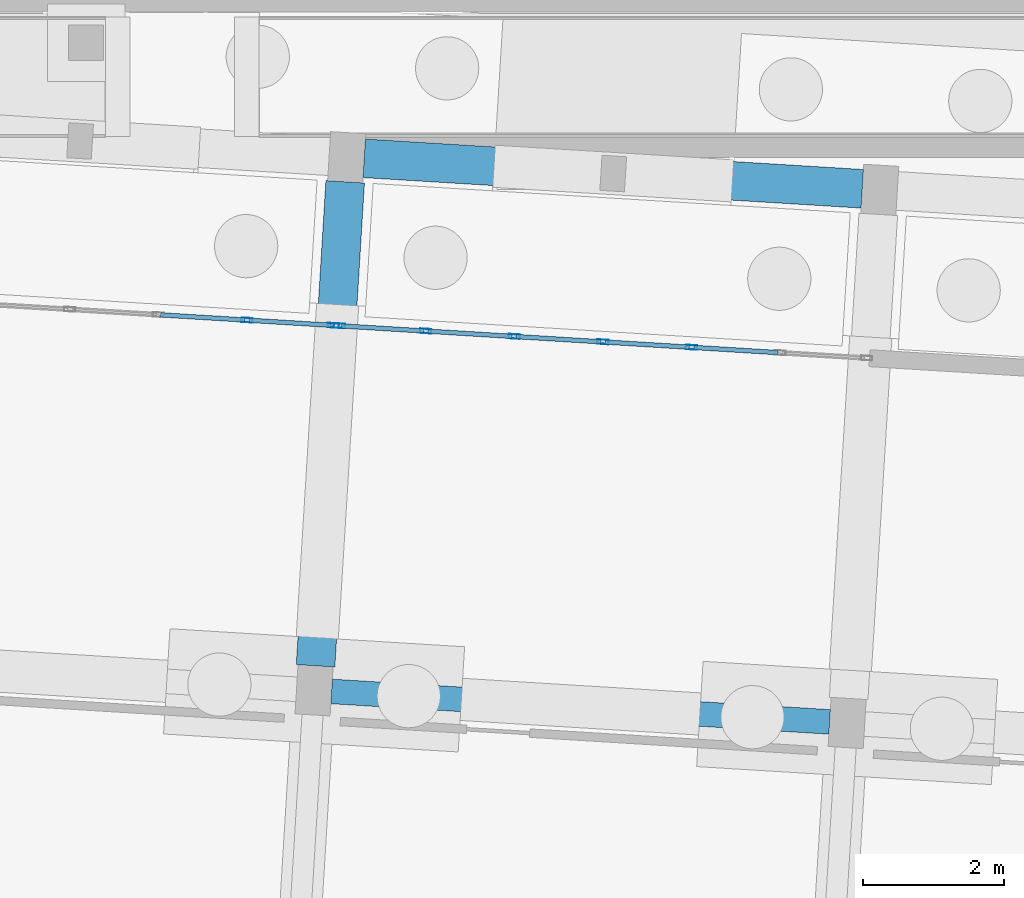
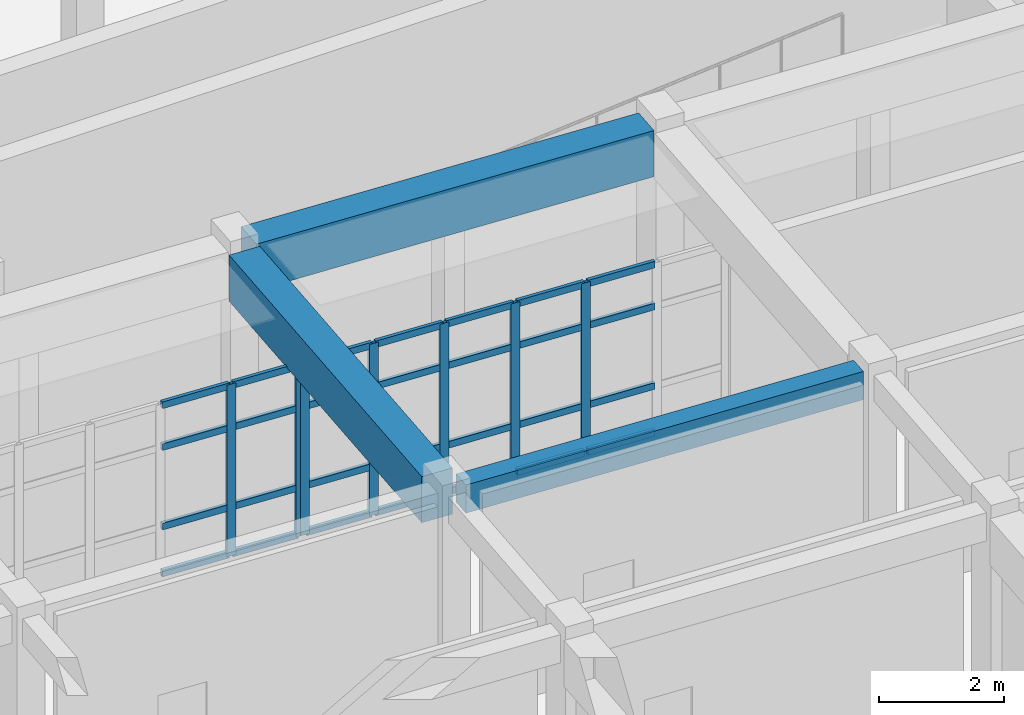
# One storey, part 52 of 154: 35 members, 3 beams, 2 elements without a shape of their own.
"""IFC4 building model written with IfcOpenShell, lengths in metres."""

from ifc_helpers import new_model, si_unit, direction, frame, origin, origin_2d, place, context, subcontext, project, spatial, rectangle, hollow_rectangle, extrude, material, material_profile, profile_set, type_object, element, aggregate, save


model = new_model("IFC4")

# Units and contexts
model_context = context("Model", 3, precision=1e-05, world=origin(), true_north=direction((0.0, 1.0)))
body_context = subcontext(model_context, "Body", "Model", "MODEL_VIEW")
ifc_project = project(units=[si_unit("LENGTHUNIT", "METRE"), si_unit("AREAUNIT", "SQUARE_METRE"), si_unit("VOLUMEUNIT", "CUBIC_METRE"), si_unit("PLANEANGLEUNIT", "RADIAN"), si_unit("MASSUNIT", "GRAM", prefix="KILO")], contexts=[model_context])

# Site, building, storey
site_placement = place(None, origin())
site = spatial("IfcSite", under=ifc_project, at=site_placement, CompositionType="ELEMENT")
building_placement = place(site_placement, origin())
building = spatial("IfcBuilding", under=site, at=building_placement, Name="Kestramere Prow Commons", CompositionType="ELEMENT")
storey_placement = place(building_placement, origin())
storey = spatial("IfcBuildingStorey", under=building, at=storey_placement, Name="L00", CompositionType="ELEMENT", Elevation=0.0)

# Beam
ifc_material_1 = material(Name="Precast concrete C40/50", Category="concrete")
ifc_material_profile_1 = material_profile(ifc_material_1, rectangle(XDim=0.35009765625, YDim=0.550048828125, at=origin_2d()), Name="PC-BM 350x550")
ifc_profile_set_1 = profile_set([ifc_material_profile_1], Name="Precast concrete C40/50")
beam_type_1 = type_object("IfcBeamType", Name="BM-C1 PC-BM 350x550", PredefinedType="BEAM", material=ifc_profile_set_1)
beam_1_placement = place(storey_placement, frame((90.825439453125, 56.6064453125, 3.97509765625), z_axis=(0.998135568114, -0.061035953884, 0.0), x_axis=(0.061035953884, 0.998135568114, 0.0)))
element("IfcBeam", 1, at=beam_1_placement, inside=storey, type_object=beam_type_1, Name="Block C L00 Longitudinal Beam 3-5", PredefinedType="BEAM", context=body_context, shape_type="SweptSolid", body=[
    extrude(rectangle(XDim=0.35009765625, YDim=0.550048828125, at=origin_2d()), origin(), (0.0, 0.0, 1.0), 7.099853515625),
])

# Curtain wall, members
ifc_material_2 = material(Name="Anodised Aluminium and Low-E Glass", Category="aluminium")
curtain_wall_type = type_object("IfcCurtainWallType", Name="CW-07 Glazed Curtain Wall 7580x3350", PredefinedType="USERDEFINED", material=ifc_material_2)
curtain_wall_1_placement = place(storey_placement, origin())
curtain_wall_1 = element("IfcCurtainWall", 2, at=curtain_wall_1_placement, inside=storey, type_object=curtain_wall_type, Name="Block C L00 North Courtyard Storefront 4", ObjectType="GLAZED CURTAIN WALL", PredefinedType="USERDEFINED")
ifc_material_3 = material(Name="Anodised Aluminium 6063-T6", Category="aluminium")
ifc_material_profile_2 = material_profile(ifc_material_3, hollow_rectangle(XDim=0.06494140625, YDim=0.159912109375, WallThickness=0.00390625, at=origin_2d()), Name="ALU-MUL 65x160")
ifc_profile_set_2 = profile_set([ifc_material_profile_2], Name="Anodised Aluminium 6063-T6")
member_type_1 = type_object("IfcMemberType", Name="CW-MUL-65x160", PredefinedType="MULLION", material=ifc_profile_set_2)
member_1_placement = place(storey_placement, frame((89.622314453125, 61.889892578125, 0.0), z_axis=(0.0, 0.0, 1.0), x_axis=(0.061048554987, 0.998134797477, 0.0)))
member_1 = element("IfcMember", 3, at=member_1_placement, type_object=member_type_1, Name="CW-07 mullion 6", PredefinedType="MULLION", context=body_context, shape_type="SweptSolid", body=[
    extrude(hollow_rectangle(XDim=0.06494140625, YDim=0.159912109375, WallThickness=0.00390625, at=origin_2d()), origin(), (0.0, 0.0, 1.0), 3.35009765625),
])
member_2_placement = place(storey_placement, frame((90.850830078125, 61.814697265625, 0.0), z_axis=(0.0, 0.0, 1.0), x_axis=(0.061048554987, 0.998134797477, 0.0)))
member_2 = element("IfcMember", 4, at=member_2_placement, type_object=member_type_1, Name="CW-07 mullion 7", PredefinedType="MULLION", context=body_context, shape_type="SweptSolid", body=[
    extrude(hollow_rectangle(XDim=0.06494140625, YDim=0.159912109375, WallThickness=0.00390625, at=origin_2d()), origin(), (0.0, 0.0, 1.0), 3.35009765625),
])

curtain_wall_2_placement = place(storey_placement, origin())
curtain_wall_2 = element("IfcCurtainWall", 5, at=curtain_wall_2_placement, inside=storey, type_object=curtain_wall_type, Name="Block C L00 North Courtyard Storefront 5", ObjectType="GLAZED CURTAIN WALL", PredefinedType="USERDEFINED")
member_3_placement = place(storey_placement, frame((90.935791015625, 61.809326171875, 0.0), z_axis=(0.0, 0.0, 1.0), x_axis=(0.061048415517, 0.998134806007, 0.0)))
member_3 = element("IfcMember", 6, at=member_3_placement, type_object=member_type_1, Name="CW-07 mullion 1", PredefinedType="MULLION", context=body_context, shape_type="SweptSolid", body=[
    extrude(hollow_rectangle(XDim=0.06494140625, YDim=0.159912109375, WallThickness=0.00390625, at=origin_2d()), origin(), (0.0, 0.0, 1.0), 3.35009765625),
])
member_4_placement = place(storey_placement, frame((92.164306640625, 61.734375, 0.0), z_axis=(0.0, 0.0, 1.0), x_axis=(0.061048415517, 0.998134806007, 0.0)))
member_4 = element("IfcMember", 7, at=member_4_placement, type_object=member_type_1, Name="CW-07 mullion 2", PredefinedType="MULLION", context=body_context, shape_type="SweptSolid", body=[
    extrude(hollow_rectangle(XDim=0.06494140625, YDim=0.159912109375, WallThickness=0.00390625, at=origin_2d()), origin(), (0.0, 0.0, 1.0), 3.35009765625),
])
member_5_placement = place(storey_placement, frame((93.42529296875, 61.6572265625, 0.0), z_axis=(0.0, 0.0, 1.0), x_axis=(0.061048415517, 0.998134806007, 0.0)))
member_5 = element("IfcMember", 8, at=member_5_placement, type_object=member_type_1, Name="CW-07 mullion 3", PredefinedType="MULLION", context=body_context, shape_type="SweptSolid", body=[
    extrude(hollow_rectangle(XDim=0.06494140625, YDim=0.159912109375, WallThickness=0.00390625, at=origin_2d()), origin(), (0.0, 0.0, 1.0), 3.35009765625),
])
member_6_placement = place(storey_placement, frame((94.686279296875, 61.580078125, 0.0), z_axis=(0.0, 0.0, 1.0), x_axis=(0.061048415517, 0.998134806007, 0.0)))
member_6 = element("IfcMember", 9, at=member_6_placement, type_object=member_type_1, Name="CW-07 mullion 4", PredefinedType="MULLION", context=body_context, shape_type="SweptSolid", body=[
    extrude(hollow_rectangle(XDim=0.06494140625, YDim=0.159912109375, WallThickness=0.00390625, at=origin_2d()), origin(), (0.0, 0.0, 1.0), 3.35009765625),
])
member_7_placement = place(storey_placement, frame((95.947265625, 61.5029296875, 0.0), z_axis=(0.0, 0.0, 1.0), x_axis=(0.061048415517, 0.998134806007, 0.0)))
member_7 = element("IfcMember", 10, at=member_7_placement, type_object=member_type_1, Name="CW-07 mullion 5", PredefinedType="MULLION", context=body_context, shape_type="SweptSolid", body=[
    extrude(hollow_rectangle(XDim=0.06494140625, YDim=0.159912109375, WallThickness=0.00390625, at=origin_2d()), origin(), (0.0, 0.0, 1.0), 3.35009765625),
])

# Member
ifc_material_profile_3 = material_profile(ifc_material_3, hollow_rectangle(XDim=0.06494140625, YDim=0.1298828125, WallThickness=0.00390625, at=origin_2d()), Name="ALU-TRN 65x130")
ifc_profile_set_3 = profile_set([ifc_material_profile_3], Name="Anodised Aluminium 6063-T6")
member_type_2 = type_object("IfcMemberType", Name="CW-TRN-65x130", PredefinedType="USERDEFINED", material=ifc_profile_set_3)
member_8_placement = place(storey_placement, frame((88.393798828125, 61.96484375, 0.032470703125), z_axis=(0.998142682054, -0.060919506416, 0.0), x_axis=(0.060919506416, 0.998142682054, 0.0)))
member_8 = element("IfcMember", 11, at=member_8_placement, type_object=member_type_2, Name="CW-07 transom 5.1", ObjectType="TRANSOM", PredefinedType="USERDEFINED", context=body_context, shape_type="SweptSolid", body=[
    extrude(hollow_rectangle(XDim=0.06494140625, YDim=0.1298828125, WallThickness=0.00390625, at=origin_2d()), origin(), (0.0, 0.0, 1.0), 1.1982421875),
])

member_9_placement = place(storey_placement, frame((88.393798828125, 61.96484375, 0.949951171875), z_axis=(0.998142682054, -0.060919506416, 0.0), x_axis=(0.060919506416, 0.998142682054, 0.0)))
member_9 = element("IfcMember", 12, at=member_9_placement, type_object=member_type_2, Name="CW-07 transom 5.2", ObjectType="TRANSOM", PredefinedType="USERDEFINED", context=body_context, shape_type="SweptSolid", body=[
    extrude(hollow_rectangle(XDim=0.06494140625, YDim=0.1298828125, WallThickness=0.00390625, at=origin_2d()), origin(), (0.0, 0.0, 1.0), 1.1982421875),
])

member_10_placement = place(storey_placement, frame((88.393798828125, 61.96484375, 2.5), z_axis=(0.998142682054, -0.060919506416, 0.0), x_axis=(0.060919506416, 0.998142682054, 0.0)))
member_10 = element("IfcMember", 13, at=member_10_placement, type_object=member_type_2, Name="CW-07 transom 5.3", ObjectType="TRANSOM", PredefinedType="USERDEFINED", context=body_context, shape_type="SweptSolid", body=[
    extrude(hollow_rectangle(XDim=0.06494140625, YDim=0.1298828125, WallThickness=0.00390625, at=origin_2d()), origin(), (0.0, 0.0, 1.0), 1.1982421875),
])

member_11_placement = place(storey_placement, frame((88.393798828125, 61.96484375, 3.3173828125), z_axis=(0.998142682054, -0.060919506416, 0.0), x_axis=(0.060919506416, 0.998142682054, 0.0)))
member_11 = element("IfcMember", 14, at=member_11_placement, type_object=member_type_2, Name="CW-07 transom 5.4", ObjectType="TRANSOM", PredefinedType="USERDEFINED", context=body_context, shape_type="SweptSolid", body=[
    extrude(hollow_rectangle(XDim=0.06494140625, YDim=0.1298828125, WallThickness=0.00390625, at=origin_2d()), origin(), (0.0, 0.0, 1.0), 1.1982421875),
])

member_12_placement = place(storey_placement, frame((89.65478515625, 61.8876953125, 0.032470703125), z_axis=(0.998141187077, -0.060943996106, 0.0), x_axis=(0.060943996106, 0.998141187077, 0.0)))
member_12 = element("IfcMember", 15, at=member_12_placement, type_object=member_type_2, Name="CW-07 transom 6.1", ObjectType="TRANSOM", PredefinedType="USERDEFINED", context=body_context, shape_type="SweptSolid", body=[
    extrude(hollow_rectangle(XDim=0.06494140625, YDim=0.1298828125, WallThickness=0.00390625, at=origin_2d()), origin(), (0.0, 0.0, 1.0), 1.165771484375),
])

member_13_placement = place(storey_placement, frame((89.65478515625, 61.8876953125, 0.949951171875), z_axis=(0.998141187077, -0.060943996106, 0.0), x_axis=(0.060943996106, 0.998141187077, 0.0)))
member_13 = element("IfcMember", 16, at=member_13_placement, type_object=member_type_2, Name="CW-07 transom 6.2", ObjectType="TRANSOM", PredefinedType="USERDEFINED", context=body_context, shape_type="SweptSolid", body=[
    extrude(hollow_rectangle(XDim=0.06494140625, YDim=0.1298828125, WallThickness=0.00390625, at=origin_2d()), origin(), (0.0, 0.0, 1.0), 1.165771484375),
])

member_14_placement = place(storey_placement, frame((89.65478515625, 61.8876953125, 2.5), z_axis=(0.998141187077, -0.060943996106, 0.0), x_axis=(0.060943996106, 0.998141187077, 0.0)))
member_14 = element("IfcMember", 17, at=member_14_placement, type_object=member_type_2, Name="CW-07 transom 6.3", ObjectType="TRANSOM", PredefinedType="USERDEFINED", context=body_context, shape_type="SweptSolid", body=[
    extrude(hollow_rectangle(XDim=0.06494140625, YDim=0.1298828125, WallThickness=0.00390625, at=origin_2d()), origin(), (0.0, 0.0, 1.0), 1.165771484375),
])

member_15_placement = place(storey_placement, frame((89.65478515625, 61.8876953125, 3.3173828125), z_axis=(0.998141187077, -0.060943996106, 0.0), x_axis=(0.060943996106, 0.998141187077, 0.0)))
member_15 = element("IfcMember", 18, at=member_15_placement, type_object=member_type_2, Name="CW-07 transom 6.4", ObjectType="TRANSOM", PredefinedType="USERDEFINED", context=body_context, shape_type="SweptSolid", body=[
    extrude(hollow_rectangle(XDim=0.06494140625, YDim=0.1298828125, WallThickness=0.00390625, at=origin_2d()), origin(), (0.0, 0.0, 1.0), 1.165771484375),
])

aggregate(curtain_wall_1, [member_1, member_2, member_8, member_9, member_10, member_11, member_12, member_13, member_14, member_15])

member_16_placement = place(storey_placement, frame((90.96826171875, 61.807373046875, 0.032470703125), z_axis=(0.998141187077, -0.060943996106, 0.0), x_axis=(0.060943996106, 0.998141187077, 0.0)))
member_16 = element("IfcMember", 19, at=member_16_placement, type_object=member_type_2, Name="CW-07 transom 1.1", ObjectType="TRANSOM", PredefinedType="USERDEFINED", context=body_context, shape_type="SweptSolid", body=[
    extrude(hollow_rectangle(XDim=0.06494140625, YDim=0.1298828125, WallThickness=0.00390625, at=origin_2d()), origin(), (0.0, 0.0, 1.0), 1.165771484375),
])

member_17_placement = place(storey_placement, frame((90.96826171875, 61.807373046875, 0.949951171875), z_axis=(0.998141187077, -0.060943996106, 0.0), x_axis=(0.060943996106, 0.998141187077, 0.0)))
member_17 = element("IfcMember", 20, at=member_17_placement, type_object=member_type_2, Name="CW-07 transom 1.2", ObjectType="TRANSOM", PredefinedType="USERDEFINED", context=body_context, shape_type="SweptSolid", body=[
    extrude(hollow_rectangle(XDim=0.06494140625, YDim=0.1298828125, WallThickness=0.00390625, at=origin_2d()), origin(), (0.0, 0.0, 1.0), 1.165771484375),
])

member_18_placement = place(storey_placement, frame((90.96826171875, 61.807373046875, 2.5), z_axis=(0.998141187077, -0.060943996106, 0.0), x_axis=(0.060943996106, 0.998141187077, 0.0)))
member_18 = element("IfcMember", 21, at=member_18_placement, type_object=member_type_2, Name="CW-07 transom 1.3", ObjectType="TRANSOM", PredefinedType="USERDEFINED", context=body_context, shape_type="SweptSolid", body=[
    extrude(hollow_rectangle(XDim=0.06494140625, YDim=0.1298828125, WallThickness=0.00390625, at=origin_2d()), origin(), (0.0, 0.0, 1.0), 1.165771484375),
])

member_19_placement = place(storey_placement, frame((90.96826171875, 61.807373046875, 3.3173828125), z_axis=(0.998141187077, -0.060943996106, 0.0), x_axis=(0.060943996106, 0.998141187077, 0.0)))
member_19 = element("IfcMember", 22, at=member_19_placement, type_object=member_type_2, Name="CW-07 transom 1.4", ObjectType="TRANSOM", PredefinedType="USERDEFINED", context=body_context, shape_type="SweptSolid", body=[
    extrude(hollow_rectangle(XDim=0.06494140625, YDim=0.1298828125, WallThickness=0.00390625, at=origin_2d()), origin(), (0.0, 0.0, 1.0), 1.165771484375),
])

member_20_placement = place(storey_placement, frame((92.19677734375, 61.732421875, 0.032470703125), z_axis=(0.998130272627, -0.061122490669, 0.0), x_axis=(0.061122490669, 0.998130272627, 0.0)))
member_20 = element("IfcMember", 23, at=member_20_placement, type_object=member_type_2, Name="CW-07 transom 2.1", ObjectType="TRANSOM", PredefinedType="USERDEFINED", context=body_context, shape_type="SweptSolid", body=[
    extrude(hollow_rectangle(XDim=0.06494140625, YDim=0.1298828125, WallThickness=0.00390625, at=origin_2d()), origin(), (0.0, 0.0, 1.0), 1.1982421875),
])

member_21_placement = place(storey_placement, frame((92.19677734375, 61.732421875, 0.949951171875), z_axis=(0.998130272627, -0.061122490669, 0.0), x_axis=(0.061122490669, 0.998130272627, 0.0)))
member_21 = element("IfcMember", 24, at=member_21_placement, type_object=member_type_2, Name="CW-07 transom 2.2", ObjectType="TRANSOM", PredefinedType="USERDEFINED", context=body_context, shape_type="SweptSolid", body=[
    extrude(hollow_rectangle(XDim=0.06494140625, YDim=0.1298828125, WallThickness=0.00390625, at=origin_2d()), origin(), (0.0, 0.0, 1.0), 1.1982421875),
])

member_22_placement = place(storey_placement, frame((92.19677734375, 61.732421875, 2.5), z_axis=(0.998130272627, -0.061122490669, 0.0), x_axis=(0.061122490669, 0.998130272627, 0.0)))
member_22 = element("IfcMember", 25, at=member_22_placement, type_object=member_type_2, Name="CW-07 transom 2.3", ObjectType="TRANSOM", PredefinedType="USERDEFINED", context=body_context, shape_type="SweptSolid", body=[
    extrude(hollow_rectangle(XDim=0.06494140625, YDim=0.1298828125, WallThickness=0.00390625, at=origin_2d()), origin(), (0.0, 0.0, 1.0), 1.1982421875),
])

member_23_placement = place(storey_placement, frame((92.19677734375, 61.732421875, 3.3173828125), z_axis=(0.998130272627, -0.061122490669, 0.0), x_axis=(0.061122490669, 0.998130272627, 0.0)))
member_23 = element("IfcMember", 26, at=member_23_placement, type_object=member_type_2, Name="CW-07 transom 2.4", ObjectType="TRANSOM", PredefinedType="USERDEFINED", context=body_context, shape_type="SweptSolid", body=[
    extrude(hollow_rectangle(XDim=0.06494140625, YDim=0.1298828125, WallThickness=0.00390625, at=origin_2d()), origin(), (0.0, 0.0, 1.0), 1.1982421875),
])

member_24_placement = place(storey_placement, frame((93.457763671875, 61.6552734375, 0.032470703125), z_axis=(0.998130272627, -0.061122490669, 0.0), x_axis=(0.061122490669, 0.998130272627, 0.0)))
member_24 = element("IfcMember", 27, at=member_24_placement, type_object=member_type_2, Name="CW-07 transom 3.1", ObjectType="TRANSOM", PredefinedType="USERDEFINED", context=body_context, shape_type="SweptSolid", body=[
    extrude(hollow_rectangle(XDim=0.06494140625, YDim=0.1298828125, WallThickness=0.00390625, at=origin_2d()), origin(), (0.0, 0.0, 1.0), 1.1982421875),
])

member_25_placement = place(storey_placement, frame((93.457763671875, 61.6552734375, 0.949951171875), z_axis=(0.998130272627, -0.061122490669, 0.0), x_axis=(0.061122490669, 0.998130272627, 0.0)))
member_25 = element("IfcMember", 28, at=member_25_placement, type_object=member_type_2, Name="CW-07 transom 3.2", ObjectType="TRANSOM", PredefinedType="USERDEFINED", context=body_context, shape_type="SweptSolid", body=[
    extrude(hollow_rectangle(XDim=0.06494140625, YDim=0.1298828125, WallThickness=0.00390625, at=origin_2d()), origin(), (0.0, 0.0, 1.0), 1.1982421875),
])

member_26_placement = place(storey_placement, frame((93.457763671875, 61.6552734375, 2.5), z_axis=(0.998130272627, -0.061122490669, 0.0), x_axis=(0.061122490669, 0.998130272627, 0.0)))
member_26 = element("IfcMember", 29, at=member_26_placement, type_object=member_type_2, Name="CW-07 transom 3.3", ObjectType="TRANSOM", PredefinedType="USERDEFINED", context=body_context, shape_type="SweptSolid", body=[
    extrude(hollow_rectangle(XDim=0.06494140625, YDim=0.1298828125, WallThickness=0.00390625, at=origin_2d()), origin(), (0.0, 0.0, 1.0), 1.1982421875),
])

member_27_placement = place(storey_placement, frame((93.457763671875, 61.6552734375, 3.3173828125), z_axis=(0.998130272627, -0.061122490669, 0.0), x_axis=(0.061122490669, 0.998130272627, 0.0)))
member_27 = element("IfcMember", 30, at=member_27_placement, type_object=member_type_2, Name="CW-07 transom 3.4", ObjectType="TRANSOM", PredefinedType="USERDEFINED", context=body_context, shape_type="SweptSolid", body=[
    extrude(hollow_rectangle(XDim=0.06494140625, YDim=0.1298828125, WallThickness=0.00390625, at=origin_2d()), origin(), (0.0, 0.0, 1.0), 1.1982421875),
])

member_28_placement = place(storey_placement, frame((94.71875, 61.578125, 0.032470703125), z_axis=(0.998130272627, -0.061122490669, 0.0), x_axis=(0.061122490669, 0.998130272627, 0.0)))
member_28 = element("IfcMember", 31, at=member_28_placement, type_object=member_type_2, Name="CW-07 transom 4.1", ObjectType="TRANSOM", PredefinedType="USERDEFINED", context=body_context, shape_type="SweptSolid", body=[
    extrude(hollow_rectangle(XDim=0.06494140625, YDim=0.1298828125, WallThickness=0.00390625, at=origin_2d()), origin(), (0.0, 0.0, 1.0), 1.1982421875),
])

member_29_placement = place(storey_placement, frame((94.71875, 61.578125, 0.949951171875), z_axis=(0.998130272627, -0.061122490669, 0.0), x_axis=(0.061122490669, 0.998130272627, 0.0)))
member_29 = element("IfcMember", 32, at=member_29_placement, type_object=member_type_2, Name="CW-07 transom 4.2", ObjectType="TRANSOM", PredefinedType="USERDEFINED", context=body_context, shape_type="SweptSolid", body=[
    extrude(hollow_rectangle(XDim=0.06494140625, YDim=0.1298828125, WallThickness=0.00390625, at=origin_2d()), origin(), (0.0, 0.0, 1.0), 1.1982421875),
])

member_30_placement = place(storey_placement, frame((94.71875, 61.578125, 2.5), z_axis=(0.998130272627, -0.061122490669, 0.0), x_axis=(0.061122490669, 0.998130272627, 0.0)))
member_30 = element("IfcMember", 33, at=member_30_placement, type_object=member_type_2, Name="CW-07 transom 4.3", ObjectType="TRANSOM", PredefinedType="USERDEFINED", context=body_context, shape_type="SweptSolid", body=[
    extrude(hollow_rectangle(XDim=0.06494140625, YDim=0.1298828125, WallThickness=0.00390625, at=origin_2d()), origin(), (0.0, 0.0, 1.0), 1.1982421875),
])

member_31_placement = place(storey_placement, frame((94.71875, 61.578125, 3.3173828125), z_axis=(0.998130272627, -0.061122490669, 0.0), x_axis=(0.061122490669, 0.998130272627, 0.0)))
member_31 = element("IfcMember", 34, at=member_31_placement, type_object=member_type_2, Name="CW-07 transom 4.4", ObjectType="TRANSOM", PredefinedType="USERDEFINED", context=body_context, shape_type="SweptSolid", body=[
    extrude(hollow_rectangle(XDim=0.06494140625, YDim=0.1298828125, WallThickness=0.00390625, at=origin_2d()), origin(), (0.0, 0.0, 1.0), 1.1982421875),
])

member_32_placement = place(storey_placement, frame((95.979736328125, 61.5009765625, 0.032470703125), z_axis=(0.998130272627, -0.061122490669, 0.0), x_axis=(0.061122490669, 0.998130272627, 0.0)))
member_32 = element("IfcMember", 35, at=member_32_placement, type_object=member_type_2, Name="CW-07 transom 5.1", ObjectType="TRANSOM", PredefinedType="USERDEFINED", context=body_context, shape_type="SweptSolid", body=[
    extrude(hollow_rectangle(XDim=0.06494140625, YDim=0.1298828125, WallThickness=0.00390625, at=origin_2d()), origin(), (0.0, 0.0, 1.0), 1.1982421875),
])

member_33_placement = place(storey_placement, frame((95.979736328125, 61.5009765625, 0.949951171875), z_axis=(0.998130272627, -0.061122490669, 0.0), x_axis=(0.061122490669, 0.998130272627, 0.0)))
member_33 = element("IfcMember", 36, at=member_33_placement, type_object=member_type_2, Name="CW-07 transom 5.2", ObjectType="TRANSOM", PredefinedType="USERDEFINED", context=body_context, shape_type="SweptSolid", body=[
    extrude(hollow_rectangle(XDim=0.06494140625, YDim=0.1298828125, WallThickness=0.00390625, at=origin_2d()), origin(), (0.0, 0.0, 1.0), 1.1982421875),
])

member_34_placement = place(storey_placement, frame((95.979736328125, 61.5009765625, 2.5), z_axis=(0.998130272627, -0.061122490669, 0.0), x_axis=(0.061122490669, 0.998130272627, 0.0)))
member_34 = element("IfcMember", 37, at=member_34_placement, type_object=member_type_2, Name="CW-07 transom 5.3", ObjectType="TRANSOM", PredefinedType="USERDEFINED", context=body_context, shape_type="SweptSolid", body=[
    extrude(hollow_rectangle(XDim=0.06494140625, YDim=0.1298828125, WallThickness=0.00390625, at=origin_2d()), origin(), (0.0, 0.0, 1.0), 1.1982421875),
])

member_35_placement = place(storey_placement, frame((95.979736328125, 61.5009765625, 3.3173828125), z_axis=(0.998130272627, -0.061122490669, 0.0), x_axis=(0.061122490669, 0.998130272627, 0.0)))
member_35 = element("IfcMember", 38, at=member_35_placement, type_object=member_type_2, Name="CW-07 transom 5.4", ObjectType="TRANSOM", PredefinedType="USERDEFINED", context=body_context, shape_type="SweptSolid", body=[
    extrude(hollow_rectangle(XDim=0.06494140625, YDim=0.1298828125, WallThickness=0.00390625, at=origin_2d()), origin(), (0.0, 0.0, 1.0), 1.1982421875),
])

aggregate(curtain_wall_2, [member_3, member_4, member_5, member_6, member_7, member_16, member_17, member_18, member_19, member_20, member_21, member_22, member_23, member_24, member_25, member_26, member_27, member_28, member_29, member_30, member_31, member_32, member_33, member_34, member_35])

# Beams
ifc_material_profile_4 = material_profile(ifc_material_1, rectangle(XDim=0.550048828125, YDim=0.89990234375, at=origin_2d()), Name="PC-TG 550x900")
ifc_profile_set_4 = profile_set([ifc_material_profile_4], Name="Precast concrete C40/50")
beam_type_2 = type_object("IfcBeamType", Name="TG-01 PC-TG 550x900 (EX)", PredefinedType="BEAM", material=ifc_profile_set_4)
beam_2_placement = place(storey_placement, frame((91.289306640625, 64.1923828125, 3.800048828125), z_axis=(0.998133600873, -0.061068116134, 0.0), x_axis=(0.061068116134, 0.998133600873, 0.0)))
element("IfcBeam", 39, at=beam_2_placement, inside=storey, type_object=beam_type_2, Name="Block C L00 Longitudinal Beam 4-5", PredefinedType="BEAM", context=body_context, shape_type="SweptSolid", body=[
    extrude(rectangle(XDim=0.550048828125, YDim=0.89990234375, at=origin_2d()), origin(), (0.0, 0.0, 1.0), 7.10009765625),
])
beam_3_placement = place(storey_placement, frame((90.59716796875, 56.97119140625, 3.800048828125), z_axis=(0.061071934202, 0.998133367268, 0.0), x_axis=(-0.998133367268, 0.061071934202, 0.0)))
element("IfcBeam", 40, at=beam_3_placement, inside=storey, type_object=beam_type_2, Name="Block C L00 N Colonnade Transfer Girder 5", PredefinedType="BEAM", context=body_context, shape_type="SweptSolid", body=[
    extrude(rectangle(XDim=0.550048828125, YDim=0.89990234375, at=origin_2d()), origin(), (0.0, 0.0, 1.0), 6.89990234375),
])

save(model, "model.ifc")
